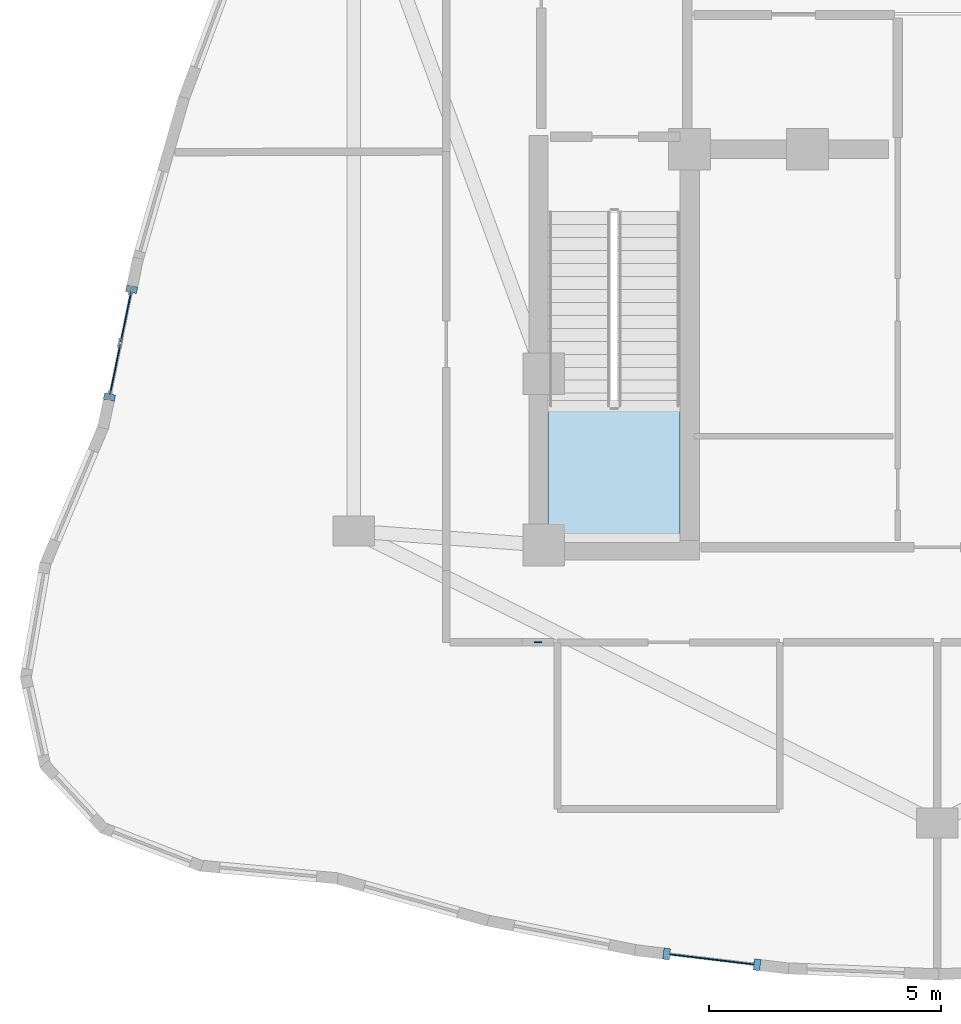
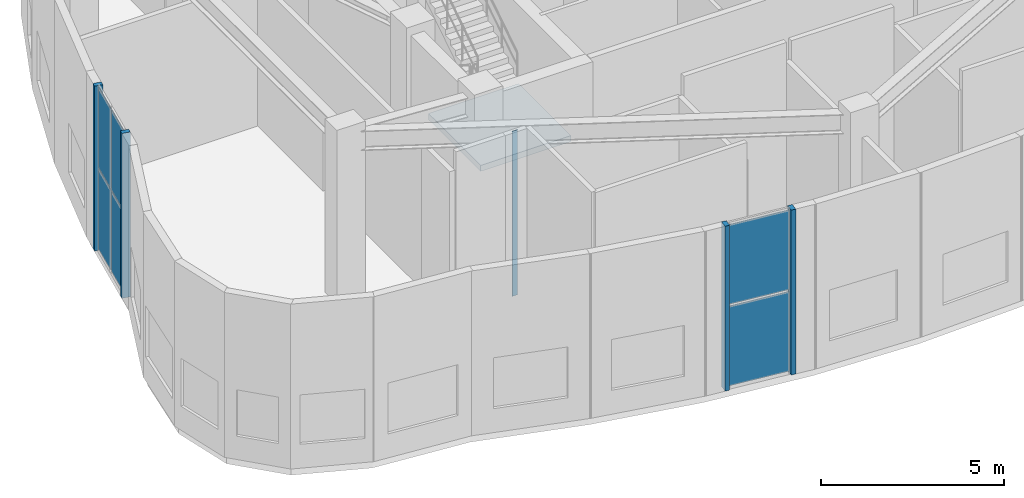
# One storey, part 9 of 16: 11 plates, 1 slab, 3 elements without a shape of their own.
"""IFC4 building model written with IfcOpenShell, lengths in metres."""

from ifc_helpers import new_model, si_unit, direction, frame, origin, origin_2d, place, context, subcontext, project, spatial, polyline, rectangle, outline, extrude, material, layer, layer_set, type_object, element, aggregate, save


model = new_model("IFC4")

# Units and contexts
model_context = context("Model", 3, precision=1e-05, world=origin(), true_north=direction((0.0, 1.0)))
body_context = subcontext(model_context, "Body", "Model", "MODEL_VIEW")
ifc_project = project(units=[si_unit("LENGTHUNIT", "METRE"), si_unit("AREAUNIT", "SQUARE_METRE"), si_unit("VOLUMEUNIT", "CUBIC_METRE"), si_unit("PLANEANGLEUNIT", "RADIAN"), si_unit("MASSUNIT", "GRAM", prefix="KILO")], contexts=[model_context])

# Site, building, storey
site_placement = place(None, origin())
site = spatial("IfcSite", under=ifc_project, at=site_placement, CompositionType="ELEMENT")
building_placement = place(site_placement, origin())
building = spatial("IfcBuilding", under=site, at=building_placement, Name="Miruveldt Soraemaru", CompositionType="ELEMENT")
storey_placement = place(building_placement, frame((0.0, 0.0, 289.60009765625)))
storey = spatial("IfcBuildingStorey", under=building, at=storey_placement, Name="L78", CompositionType="ELEMENT", Elevation=289.60009765625)

# Curtain wall, plates
ifc_material_1 = material(Name="Anodised aluminium EN AW-6063 T6", Category="aluminium")
ifc_layer_1 = layer(ifc_material_1, 0.1650390625, Name="Anodised aluminium EN AW-6063 T6", Category="aluminium")
ifc_layer_set_1 = layer_set([ifc_layer_1], Name="Anodised aluminium EN AW-6063 T6")
curtain_wall_type = type_object("IfcCurtainWallType", Name="CW-SYS-5", PredefinedType="USERDEFINED", material=ifc_layer_set_1)
curtain_wall_1_placement = place(storey_placement, origin())
curtain_wall_1 = element("IfcCurtainWall", 1, at=curtain_wall_1_placement, inside=storey, type_object=curtain_wall_type, Name="L78 Curtain Wall Bay 14", ObjectType="UNITISED GLAZING", PredefinedType="USERDEFINED")
ifc_material_2 = material(Name="Triple low-e insulated glazing", Category="glass")
ifc_layer_2 = layer(ifc_material_2, 0.02587890625, Name="Triple low-e insulated glazing", Category="glass")
ifc_layer_set_2 = layer_set([ifc_layer_2], Name="Triple low-e insulated glazing")
plate_type_1 = type_object("IfcPlateType", Name="CWP-5", PredefinedType="CURTAIN_PANEL", material=ifc_layer_set_2)
plate_1_placement = place(storey_placement, frame((26.47998046875, 40.42724609375, 0.059814453125), z_axis=(0.0, 0.0, 1.0), x_axis=(-0.201598316939, -0.979468283615, 0.0)))
plate_1 = element("IfcPlate", 2, at=plate_1_placement, type_object=plate_type_1, Name="CW-5 panel 1.1", PredefinedType="CURTAIN_PANEL", context=body_context, shape_type="SweptSolid", body=[
    extrude(rectangle(XDim=1.098388671875, YDim=0.02587890625, at=origin_2d()), origin(), (0.0, 0.0, 1.0), 2.6650390625),
])
plate_2_placement = place(storey_placement, frame((26.47998046875, 40.42724609375, 2.784912109375), z_axis=(0.0, 0.0, 1.0), x_axis=(-0.201598316939, -0.979468283615, 0.0)))
plate_2 = element("IfcPlate", 3, at=plate_2_placement, type_object=plate_type_1, Name="CW-5 panel 1.2", PredefinedType="CURTAIN_PANEL", context=body_context, shape_type="SweptSolid", body=[
    extrude(rectangle(XDim=1.098388671875, YDim=0.02587890625, at=origin_2d()), origin(), (0.0, 0.0, 1.0), 2.6650390625),
])
plate_3_placement = place(storey_placement, frame((26.246337890625, 39.292724609375, 0.059814453125), z_axis=(0.0, 0.0, 1.0), x_axis=(-0.201598316939, -0.979468283615, 0.0)))
plate_3 = element("IfcPlate", 4, at=plate_3_placement, type_object=plate_type_1, Name="CW-5 panel 2.1", PredefinedType="CURTAIN_PANEL", context=body_context, shape_type="SweptSolid", body=[
    extrude(rectangle(XDim=1.098388671875, YDim=0.02587890625, at=origin_2d()), origin(), (0.0, 0.0, 1.0), 2.6650390625),
])
plate_4_placement = place(storey_placement, frame((26.246337890625, 39.292724609375, 2.784912109375), z_axis=(0.0, 0.0, 1.0), x_axis=(-0.201598316939, -0.979468283615, 0.0)))
plate_4 = element("IfcPlate", 5, at=plate_4_placement, type_object=plate_type_1, Name="CW-5 panel 2.2", PredefinedType="CURTAIN_PANEL", context=body_context, shape_type="SweptSolid", body=[
    extrude(rectangle(XDim=1.098388671875, YDim=0.02587890625, at=origin_2d()), origin(), (0.0, 0.0, 1.0), 2.6650390625),
])
aggregate(curtain_wall_1, [plate_1, plate_2, plate_3, plate_4])

curtain_wall_2_placement = place(storey_placement, origin())
curtain_wall_2 = element("IfcCurtainWall", 6, at=curtain_wall_2_placement, inside=storey, type_object=curtain_wall_type, Name="L78 Curtain Wall Bay 23", ObjectType="UNITISED GLAZING", PredefinedType="USERDEFINED")
plate_5_placement = place(storey_placement, frame((39.133056640625, 26.5517578125, 0.059814453125), z_axis=(0.0, 0.0, 1.0), x_axis=(0.99287491476, -0.119161250582, 0.0)))
plate_5 = element("IfcPlate", 7, at=plate_5_placement, type_object=plate_type_1, Name="CW-5 panel 1.1", PredefinedType="CURTAIN_PANEL", context=body_context, shape_type="SweptSolid", body=[
    extrude(rectangle(XDim=1.847900390625, YDim=0.02587890625, at=origin_2d()), origin(), (0.0, 0.0, 1.0), 2.6650390625),
])
plate_6_placement = place(storey_placement, frame((39.133056640625, 26.5517578125, 2.784912109375), z_axis=(0.0, 0.0, 1.0), x_axis=(0.99287491476, -0.119161250582, 0.0)))
plate_6 = element("IfcPlate", 8, at=plate_6_placement, type_object=plate_type_1, Name="CW-5 panel 1.2", PredefinedType="CURTAIN_PANEL", context=body_context, shape_type="SweptSolid", body=[
    extrude(rectangle(XDim=1.847900390625, YDim=0.02587890625, at=origin_2d()), origin(), (0.0, 0.0, 1.0), 2.6650390625),
])
aggregate(curtain_wall_2, [plate_5, plate_6])

# Plates
ifc_layer_3 = layer(ifc_material_1, 0.030029296875, Name="Anodised aluminium EN AW-6063 T6", Category="aluminium")
ifc_layer_set_3 = layer_set([ifc_layer_3], Name="Anodised aluminium EN AW-6063 T6")
plate_type_2 = type_object("IfcPlateType", Name="PLT-JAMB-30", PredefinedType="SHEET", material=ifc_layer_set_3)
for number, where, z_axis, x_axis, name in (
    (9, (26.602783203125, 41.024169921875, 0.0), (0.0, 0.0, 1.0), (-0.20159079796, -0.979469831173, 0.0), "L78 Curtain Wall Jamb Closure Trim 14JL"),
    (10, (26.12353515625, 38.69580078125, 0.0), (0.0, 0.0, 1.0), (-0.20159079796, -0.979469831173, 0.0), "L78 Curtain Wall Jamb Closure Trim 14JR"),
    (11, (38.156005859375, 26.669189453125, 0.0), (0.0, 0.0, 1.0), (0.9928742876, -0.119166476087, 0.0), "L78 Curtain Wall Jamb Closure Trim 23JL"),
    (12, (40.110107421875, 26.4345703125, 0.0), (0.0, 0.0, 1.0), (0.9928742876, -0.119166476087, 0.0), "L78 Curtain Wall Jamb Closure Trim 23JR"),
):
    element("IfcPlate", number, at=place(storey_placement, frame(where, z_axis=z_axis, x_axis=x_axis)), inside=storey, type_object=plate_type_2, Name=name, PredefinedType="SHEET", context=body_context, shape_type="SweptSolid", body=[
        extrude(rectangle(XDim=0.139892578125, YDim=0.239990234375, at=origin_2d()), origin(), (0.0, 0.0, 1.0), 5.510009765625),
    ])
ifc_layer_4 = layer(ifc_material_1, 0.02001953125, Name="Anodised aluminium EN AW-6063 T6", Category="aluminium")
ifc_layer_set_4 = layer_set([ifc_layer_4], Name="Anodised aluminium EN AW-6063 T6")
plate_type_3 = type_object("IfcPlateType", Name="PLT-PART-TRIM", PredefinedType="SHEET", material=ifc_layer_set_4)
plate_7_placement = place(storey_placement, frame((35.375, 33.39990234375, 0.0), z_axis=(0.0, 0.0, 1.0), x_axis=(1.0, 0.0, 0.0)))
element("IfcPlate", 13, at=plate_7_placement, inside=storey, type_object=plate_type_3, Name="L78 Partition Step Corner Trim Plate 006", PredefinedType="SHEET", context=body_context, shape_type="SweptSolid", body=[
    extrude(rectangle(XDim=0.159912109375, YDim=0.02001953125, at=origin_2d()), origin(), (0.0, 0.0, 1.0), 5.510009765625),
])

# Stair, slab
ifc_material_3 = material(Name="Concrete C40/50 (40 MPa)", Category="concrete")
stair_type = type_object("IfcStairType", Name="STAIR-DL-580", PredefinedType="HALF_TURN_STAIR", material=ifc_material_3)
stair_placement = place(storey_placement, origin())
stair = element("IfcStair", 14, at=stair_placement, inside=storey, type_object=stair_type, Name="L78 Protected Exit Stair ST-1", PredefinedType="HALF_TURN_STAIR")
ifc_layer_5 = layer(ifc_material_3, 0.199951171875, Name="Concrete C40/50 (40 MPa)", Category="concrete")
ifc_layer_set_5 = layer_set([ifc_layer_5], Name="Concrete C40/50 (40 MPa)")
slab_type = type_object("IfcSlabType", Name="SLAB-LAND-200", PredefinedType="LANDING", material=ifc_layer_set_5)
slab_placement = place(storey_placement, frame((0.0, 0.0, 2.699951171875)))
slab = element("IfcSlab", 15, at=slab_placement, type_object=slab_type, Name="ST-1 landing 1", PredefinedType="LANDING", context=body_context, shape_type="SweptSolid", body=[
    extrude(outline(polyline([(35.60009765625, 38.51806640625), (35.60009765625, 35.64990234375), (38.449951171875, 35.64990234375), (38.449951171875, 38.51806640625), (35.60009765625, 38.51806640625)])), origin(), (0.0, 0.0, 1.0), 0.199951171875),
])
aggregate(stair, [slab])

save(model, "model.ifc")
